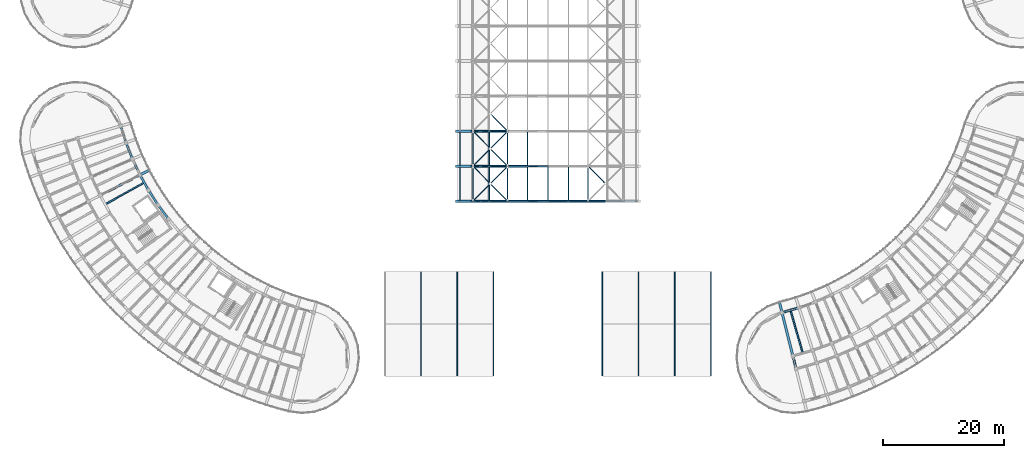
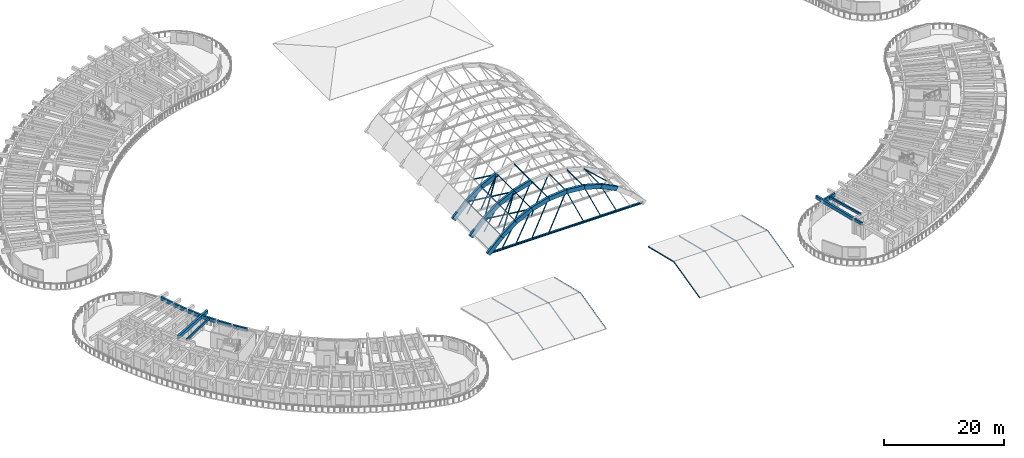
# One storey, part 7 of 81: 48 members, 28 beams.
"""IFC4 building model written with IfcOpenShell, lengths in metres."""

from ifc_helpers import new_model, si_unit, direction, frame, origin, origin_2d, place, context, subcontext, project, spatial, rectangle, hollow_rectangle, hollow_circle, i_section, extrude, material, material_profile, profile_set, type_object, element, save


model = new_model("IFC4")

# Units and contexts
model_context = context("Model", 3, precision=1e-05, world=origin(), true_north=direction((0.0, 1.0)))
body_context = subcontext(model_context, "Body", "Model", "MODEL_VIEW")
ifc_project = project(units=[si_unit("LENGTHUNIT", "METRE"), si_unit("AREAUNIT", "SQUARE_METRE"), si_unit("VOLUMEUNIT", "CUBIC_METRE"), si_unit("PLANEANGLEUNIT", "RADIAN"), si_unit("MASSUNIT", "GRAM", prefix="KILO")], contexts=[model_context])

# Site, building, storey
site_placement = place(None, origin())
site = spatial("IfcSite", under=ifc_project, at=site_placement, CompositionType="ELEMENT")
building_placement = place(site_placement, origin())
building = spatial("IfcBuilding", under=site, at=building_placement, Name="Tanwirah Colonnade Gardens", CompositionType="ELEMENT")
storey_placement = place(building_placement, frame((0.0, 0.0, 8.840087890625)))
storey = spatial("IfcBuildingStorey", under=building, at=storey_placement, Name="L02", CompositionType="ELEMENT", Elevation=8.840087890625)

# Beams
ifc_material_1 = material(Name="Precast concrete C40/50", Category="concrete")
ifc_material_profile_1 = material_profile(ifc_material_1, rectangle(XDim=0.320068359375, YDim=0.52001953125, at=origin_2d()), Name="PC-BM 320x520")
ifc_profile_set_1 = profile_set([ifc_material_profile_1], Name="Precast concrete C40/50")
beam_type_1 = type_object("IfcBeamType", Name="BM-PC320", PredefinedType="BEAM", material=ifc_profile_set_1)
beam_1_placement = place(storey_placement, frame((133.579833984375, 14.044677734375, 2.844970703125), z_axis=(0.241961122321, -0.970285945114, 0.0), x_axis=(0.970285945114, 0.241961122321, 0.0)))
element("IfcBeam", 1, at=beam_1_placement, inside=storey, type_object=beam_type_1, Name="Block D L02 Corridor Tie Beam 0", PredefinedType="BEAM", context=body_context, shape_type="SweptSolid", body=[
    extrude(rectangle(XDim=0.320068359375, YDim=0.52001953125, at=origin_2d()), origin(), (0.0, 0.0, 1.0), 1.89990234375),
])
ifc_material_2 = material(Name="Precast concrete C45/55", Category="concrete")
ifc_material_profile_2 = material_profile(ifc_material_2, rectangle(XDim=0.39990234375, YDim=0.64990234375, at=origin_2d()), Name="PC-BM 400x650")
ifc_profile_set_2 = profile_set([ifc_material_profile_2], Name="Precast concrete C45/55")
beam_type_2 = type_object("IfcBeamType", Name="BM-PC400", PredefinedType="BEAM", material=ifc_profile_set_2)
for number, where, z_axis, x_axis, name in (
    (2, (19.037841796875, 40.827880859375, 2.780029296875), (0.889022337846, 0.457863825619, 0.0), (-0.457863825619, 0.889022337846, 0.0), "Block C L02 Inner Radial Precast Girder 3"),
    (3, (133.50732421875, 14.335693359375, 2.780029296875), (-0.241932243826, 0.970293146115, 0.0), (-0.970293146115, -0.241932243826, 0.0), "Block D L02 Inner Radial Precast Girder 0"),
):
    element("IfcBeam", number, at=place(storey_placement, frame(where, z_axis=z_axis, x_axis=x_axis)), inside=storey, type_object=beam_type_2, Name=name, PredefinedType="BEAM", context=body_context, shape_type="SweptSolid", body=[
        extrude(rectangle(XDim=0.39990234375, YDim=0.64990234375, at=origin_2d()), origin(), (0.0, 0.0, 1.0), 8.949951171875),
    ])

# Members
ifc_material_3 = material(Name="Steel S355", Category="steel")
ifc_material_profile_3 = material_profile(ifc_material_3, hollow_circle(Radius=0.084228515625, WallThickness=0.010009765625, at=origin_2d()), Name="CHS 168.3x10")
ifc_profile_set_3 = profile_set([ifc_material_profile_3], Name="Steel S355")
member_type_1 = type_object("IfcMemberType", Name="BRC-CHS168", PredefinedType="BRACE", material=ifc_profile_set_3)
member_1_placement = place(storey_placement, frame((80.604736328125, 39.800048828125, 2.29345703125), z_axis=(0.642700500329, 0.650061128505, 0.405409171189), x_axis=(-0.711121325533, 0.70306931406, 0.0)))
element("IfcMember", 4, at=member_1_placement, inside=storey, type_object=member_type_1, Name="Vault Roof Continuous Diagonal Brace 1.1", PredefinedType="BRACE", context=body_context, shape_type="SweptSolid", body=[
    extrude(hollow_circle(Radius=0.084228515625, WallThickness=0.010009765625, at=origin_2d()), origin(), (0.0, 0.0, 1.0), 8.92236328125),
])
for number, where, z_axis, x_axis, name in (
    (5, (86.339111328125, 39.800048828125, 5.91064453125), (-0.642692872086, 0.650060107494, -0.405422901196), (-0.711124945561, -0.703065652554, 0.0), "Vault Roof Split Diagonal Brace 1.2A"),
    (6, (83.394775390625, 42.778076171875, 4.05322265625), (-0.642707525194, 0.650074928572, -0.405375904935), (-0.711124945561, -0.703065652554, 0.0), "Vault Roof Split Diagonal Brace 1.2B"),
):
    element("IfcMember", number, at=place(storey_placement, frame(where, z_axis=z_axis, x_axis=x_axis)), inside=storey, type_object=member_type_1, Name=name, PredefinedType="BRACE", context=body_context, shape_type="SweptSolid", body=[
        extrude(hollow_circle(Radius=0.084228515625, WallThickness=0.010009765625, at=origin_2d()), origin(), (0.0, 0.0, 1.0), 4.341064453125),
    ])
member_2_placement = place(storey_placement, frame((80.604736328125, 45.60009765625, 2.29345703125), z_axis=(0.642711932478, 0.650045328166, 0.405416382476), x_axis=(-0.711106528922, 0.703084279816, 0.0)))
element("IfcMember", 7, at=member_2_placement, inside=storey, type_object=member_type_1, Name="Vault Roof Continuous Diagonal Brace 2.1", PredefinedType="BRACE", context=body_context, shape_type="SweptSolid", body=[
    extrude(hollow_circle(Radius=0.084228515625, WallThickness=0.010009765625, at=origin_2d()), origin(), (0.0, 0.0, 1.0), 8.922119140625),
])
member_3_placement = place(storey_placement, frame((86.339111328125, 45.60009765625, 5.91064453125), z_axis=(-0.642716368159, 0.65002763241, -0.405437722966), x_axis=(-0.711094533496, -0.703096411904, 0.0)))
element("IfcMember", 8, at=member_3_placement, inside=storey, type_object=member_type_1, Name="Vault Roof Split Diagonal Brace 2.2A", PredefinedType="BRACE", context=body_context, shape_type="SweptSolid", body=[
    extrude(hollow_circle(Radius=0.084228515625, WallThickness=0.010009765625, at=origin_2d()), origin(), (0.0, 0.0, 1.0), 4.341064453125),
])
member_4_placement = place(storey_placement, frame((83.394775390625, 48.578125, 4.05322265625), z_axis=(-0.642731022874, 0.650042453831, -0.405390725663), x_axis=(-0.711094533496, -0.703096411904, 0.0)))
element("IfcMember", 9, at=member_4_placement, inside=storey, type_object=member_type_1, Name="Vault Roof Split Diagonal Brace 2.2B", PredefinedType="BRACE", context=body_context, shape_type="SweptSolid", body=[
    extrude(hollow_circle(Radius=0.084228515625, WallThickness=0.010009765625, at=origin_2d()), origin(), (0.0, 0.0, 1.0), 4.3408203125),
])
member_5_placement = place(storey_placement, frame((86.339111328125, 51.39990234375, 5.91064453125), z_axis=(-0.642692872086, 0.650060107494, -0.405422901196), x_axis=(-0.711124945561, -0.703065652554, 0.0)))
element("IfcMember", 10, at=member_5_placement, inside=storey, type_object=member_type_1, Name="Vault Roof Split Diagonal Brace 3.2A", PredefinedType="BRACE", context=body_context, shape_type="SweptSolid", body=[
    extrude(hollow_circle(Radius=0.084228515625, WallThickness=0.010009765625, at=origin_2d()), origin(), (0.0, 0.0, 1.0), 4.341064453125),
])
ifc_material_profile_4 = material_profile(ifc_material_3, hollow_circle(Radius=0.096923828125, WallThickness=0.010009765625, at=origin_2d()), Name="CHS 193.7x10")
ifc_profile_set_4 = profile_set([ifc_material_profile_4], Name="Steel S355")
member_type_2 = type_object("IfcMemberType", Name="BRC-CHS194", PredefinedType="BRACE", material=ifc_profile_set_4)
member_6_placement = place(storey_placement, frame((102.450927734375, 42.778076171875, 4.150634765625), z_axis=(-0.642692872086, 0.650060107494, 0.405422901196), x_axis=(-0.711124945561, -0.703065652554, 0.0)))
element("IfcMember", 11, at=member_6_placement, inside=storey, type_object=member_type_2, Name="Vault Roof Split Diagonal Brace 1.4B", PredefinedType="BRACE", context=body_context, shape_type="SweptSolid", body=[
    extrude(hollow_circle(Radius=0.096923828125, WallThickness=0.010009765625, at=origin_2d()), origin(), (0.0, 0.0, 1.0), 4.341064453125),
])

# Beams
ifc_material_profile_5 = material_profile(ifc_material_1, rectangle(XDim=0.2548828125, YDim=0.455078125, at=origin_2d()), Name="PC-JST 255x455")
ifc_profile_set_5 = profile_set([ifc_material_profile_5], Name="Precast concrete C40/50")
beam_type_3 = type_object("IfcBeamType", Name="JST-PC240", PredefinedType="JOIST", material=ifc_profile_set_5)
beam_2_placement = place(storey_placement, frame((133.191650390625, 21.6298828125, 2.87744140625), z_axis=(0.273532000762, -0.961862903204, 0.0), x_axis=(0.961862903204, 0.273532000762, 0.0)))
element("IfcBeam", 12, at=beam_2_placement, inside=storey, type_object=beam_type_3, Name="Block D L02 Inner Precast Floor Joist 0", PredefinedType="JOIST", context=body_context, shape_type="SweptSolid", body=[
    extrude(rectangle(XDim=0.2548828125, YDim=0.455078125, at=origin_2d()), origin(), (0.0, 0.0, 1.0), 7.159912109375),
])
ifc_material_profile_6 = material_profile(ifc_material_1, rectangle(XDim=0.25, YDim=0.449951171875, at=origin_2d()), Name="PC-JST 250x450")
ifc_profile_set_6 = profile_set([ifc_material_profile_6], Name="Precast concrete C40/50")
beam_type_4 = type_object("IfcBeamType", Name="JST-PC250", PredefinedType="JOIST", material=ifc_profile_set_6)
beam_3_placement = place(storey_placement, frame((26.0654296875, 42.80712890625, 2.8798828125), z_axis=(-0.873559899034, -0.486716655561, 0.0), x_axis=(0.486716655561, -0.873559899034, 0.0)))
element("IfcBeam", 13, at=beam_3_placement, inside=storey, type_object=beam_type_4, Name="Block C L02 Inner Precast Floor Joist 3", PredefinedType="JOIST", context=body_context, shape_type="SweptSolid", body=[
    extrude(rectangle(XDim=0.25, YDim=0.449951171875, at=origin_2d()), origin(), (0.0, 0.0, 1.0), 7.159912109375),
])

# Members
ifc_material_profile_7 = material_profile(ifc_material_3, i_section(OverallWidth=0.110107421875, OverallDepth=0.219970703125, WebThickness=0.005859375, FlangeThickness=0.00927734375, at=origin_2d()), Name="IPE 220")
ifc_profile_set_7 = profile_set([ifc_material_profile_7], Name="Steel S355")
member_type_3 = type_object("IfcMemberType", Name="PRL-IPE180", PredefinedType="PURLIN", material=ifc_profile_set_7)
for number, where, z_axis, x_axis, name in (
    (14, (83.3017578125, 39.9599609375, 4.4716796875), (0.0, 1.0, 0.0), (-1.0, 0.0, 0.0), "Vault Longitudinal Steel Purlin 1.2"),
    (15, (89.610107421875, 39.9599609375, 6.9560546875), (0.0, 1.0, 0.0), (-1.0, 0.0, 0.0), "Vault Longitudinal Steel Purlin 1.4"),
    (16, (96.389892578125, 39.9599609375, 6.9560546875), (0.0, 1.0, 0.0), (-1.0, 0.0, 0.0), "Vault Longitudinal Steel Purlin 1.6"),
    (17, (83.3017578125, 45.760009765625, 4.4716796875), (0.0, 1.0, 0.0), (-1.0, 0.0, 0.0), "Vault Longitudinal Steel Purlin 2.2"),
    (18, (89.610107421875, 45.760009765625, 6.9560546875), (0.0, 1.0, 0.0), (-1.0, 0.0, 0.0), "Vault Longitudinal Steel Purlin 2.4"),
):
    element("IfcMember", number, at=place(storey_placement, frame(where, z_axis=z_axis, x_axis=x_axis)), inside=storey, type_object=member_type_3, Name=name, PredefinedType="PURLIN", context=body_context, shape_type="SweptSolid", body=[
        extrude(i_section(OverallWidth=0.110107421875, OverallDepth=0.219970703125, WebThickness=0.005859375, FlangeThickness=0.00927734375, at=origin_2d()), origin(), (0.0, 0.0, 1.0), 5.47998046875),
    ])
ifc_material_profile_8 = material_profile(ifc_material_3, i_section(OverallWidth=0.10009765625, OverallDepth=0.199951171875, WebThickness=0.005615234375, FlangeThickness=0.008544921875, at=origin_2d()), Name="IPE 200")
ifc_profile_set_8 = profile_set([ifc_material_profile_8], Name="Steel S355")
member_type_4 = type_object("IfcMemberType", Name="PRL-IPE200", PredefinedType="PURLIN", material=ifc_profile_set_8)
for number, where, z_axis, x_axis, name in (
    (19, (78.449951171875, 39.9599609375, 0.06982421875), (0.0, 1.0, 0.0), (-1.0, 0.0, 0.0), "Vault Eave Steel Purlin 1.W"),
    (20, (80.604736328125, 39.9599609375, 2.393310546875), (0.0, 1.0, 0.0), (-1.0, 0.0, 0.0), "Vault Longitudinal Steel Purlin 1.1"),
    (21, (86.339111328125, 39.9599609375, 6.010498046875), (0.0, 1.0, 0.0), (-1.0, 0.0, 0.0), "Vault Longitudinal Steel Purlin 1.3"),
    (22, (93.0, 39.9599609375, 7.27490234375), (0.0, 1.0, 0.0), (-1.0, 0.0, 0.0), "Vault Longitudinal Steel Purlin 1.5"),
    (23, (99.660888671875, 39.9599609375, 6.010498046875), (0.0, 1.0, 0.0), (-1.0, 0.0, 0.0), "Vault Longitudinal Steel Purlin 1.7"),
    (24, (78.449951171875, 45.760009765625, 0.06982421875), (0.0, 1.0, 0.0), (-1.0, 0.0, 0.0), "Vault Eave Steel Purlin 2.W"),
    (25, (80.604736328125, 45.760009765625, 2.393310546875), (0.0, 1.0, 0.0), (-1.0, 0.0, 0.0), "Vault Longitudinal Steel Purlin 2.1"),
    (26, (86.339111328125, 45.760009765625, 6.010498046875), (0.0, 1.0, 0.0), (-1.0, 0.0, 0.0), "Vault Longitudinal Steel Purlin 2.3"),
):
    element("IfcMember", number, at=place(storey_placement, frame(where, z_axis=z_axis, x_axis=x_axis)), inside=storey, type_object=member_type_4, Name=name, PredefinedType="PURLIN", context=body_context, shape_type="SweptSolid", body=[
        extrude(i_section(OverallWidth=0.10009765625, OverallDepth=0.199951171875, WebThickness=0.005615234375, FlangeThickness=0.008544921875, at=origin_2d()), origin(), (0.0, 0.0, 1.0), 5.47998046875),
    ])
ifc_material_profile_9 = material_profile(ifc_material_3, hollow_rectangle(XDim=0.1201171875, YDim=0.219970703125, WallThickness=0.008056640625, at=origin_2d()), Name="RHS 220x120x8")
ifc_profile_set_9 = profile_set([ifc_material_profile_9], Name="Steel S355")
member_type_5 = type_object("IfcMemberType", Name="RFT-RHS220", PredefinedType="RAFTER", material=ifc_profile_set_9)
for number, where, z_axis, x_axis, name in (
    (27, (72.0, 10.89990234375, -0.150146484375), (0.0, 0.971454957519, 0.23722408291), (-1.0, 0.0, 0.0), "Shop W South Rafter 1"),
    (28, (72.0, 28.10009765625, -0.150146484375), (0.0, -0.971454957519, 0.23722408291), (1.0, 0.0, 0.0), "Shop W North Rafter 1"),
    (29, (78.0, 10.89990234375, -0.150146484375), (0.0, 0.971454957519, 0.23722408291), (-1.0, 0.0, 0.0), "Shop W South Rafter 2"),
    (30, (78.0, 28.10009765625, -0.150146484375), (0.0, -0.971454957519, 0.23722408291), (1.0, 0.0, 0.0), "Shop W North Rafter 2"),
    (31, (84.0, 10.89990234375, -0.150146484375), (0.0, 0.971454957519, 0.23722408291), (-1.0, 0.0, 0.0), "Shop W South Rafter 3"),
    (32, (84.0, 28.10009765625, -0.150146484375), (0.0, -0.971454957519, 0.23722408291), (1.0, 0.0, 0.0), "Shop W North Rafter 3"),
    (33, (102.0, 10.89990234375, -0.150146484375), (0.0, 0.971454957519, 0.23722408291), (-1.0, 0.0, 0.0), "Shop E South Rafter 0"),
    (34, (102.0, 28.10009765625, -0.150146484375), (0.0, -0.971454957519, 0.23722408291), (1.0, 0.0, 0.0), "Shop E North Rafter 0"),
    (35, (108.0, 10.89990234375, -0.150146484375), (0.0, 0.971454957519, 0.23722408291), (-1.0, 0.0, 0.0), "Shop E South Rafter 1"),
    (36, (108.0, 28.10009765625, -0.150146484375), (0.0, -0.971454957519, 0.23722408291), (1.0, 0.0, 0.0), "Shop E North Rafter 1"),
    (37, (114.0, 10.89990234375, -0.150146484375), (0.0, 0.971454957519, 0.23722408291), (-1.0, 0.0, 0.0), "Shop E South Rafter 2"),
    (38, (114.0, 28.10009765625, -0.150146484375), (0.0, -0.971454957519, 0.23722408291), (1.0, 0.0, 0.0), "Shop E North Rafter 2"),
    (39, (120.0, 10.89990234375, -0.150146484375), (0.0, 0.971454957519, 0.23722408291), (-1.0, 0.0, 0.0), "Shop E South Rafter 3"),
    (40, (120.0, 28.10009765625, -0.150146484375), (0.0, -0.971454957519, 0.23722408291), (1.0, 0.0, 0.0), "Shop E North Rafter 3"),
):
    element("IfcMember", number, at=place(storey_placement, frame(where, z_axis=z_axis, x_axis=x_axis)), inside=storey, type_object=member_type_5, Name=name, PredefinedType="RAFTER", context=body_context, shape_type="SweptSolid", body=[
        extrude(hollow_rectangle(XDim=0.1201171875, YDim=0.219970703125, WallThickness=0.008056640625, at=origin_2d()), origin(), (0.0, 0.0, 1.0), 8.852783203125),
    ])

# Beams
ifc_material_profile_10 = material_profile(ifc_material_2, rectangle(XDim=0.449951171875, YDim=0.85009765625, at=origin_2d()), Name="PC-RIB 450x850")
ifc_profile_set_10 = profile_set([ifc_material_profile_10], Name="Precast concrete C45/55")
beam_type_5 = type_object("IfcBeamType", Name="RIB-V450", PredefinedType="BEAM", material=ifc_profile_set_10)
beam_4_placement = place(storey_placement, frame((78.0, 39.800048828125, -0.35009765625), z_axis=(0.701857552298, 0.0, 0.712317328361), x_axis=(0.0, 1.0, 0.0)))
element("IfcBeam", 41, at=beam_4_placement, inside=storey, type_object=beam_type_5, Name="Vault Precast Arch Rib 1 Segment 1", PredefinedType="BEAM", context=body_context, shape_type="SweptSolid", body=[
    extrude(rectangle(XDim=0.449951171875, YDim=0.85009765625, at=origin_2d()), origin(), (0.0, 0.0, 1.0), 3.711181640625),
])
beam_5_placement = place(storey_placement, frame((80.604736328125, 39.800048828125, 2.29345703125), z_axis=(0.792127921204, 0.0, 0.610355106843), x_axis=(0.0, 1.0, 0.0)))
element("IfcBeam", 42, at=beam_5_placement, inside=storey, type_object=beam_type_5, Name="Vault Precast Arch Rib 1 Segment 2", PredefinedType="BEAM", context=body_context, shape_type="SweptSolid", body=[
    extrude(rectangle(XDim=0.449951171875, YDim=0.85009765625, at=origin_2d()), origin(), (0.0, 0.0, 1.0), 3.40478515625),
])
beam_6_placement = place(storey_placement, frame((83.3017578125, 39.800048828125, 4.37158203125), z_axis=(0.892019587428, 0.0, 0.451996742958), x_axis=(0.0, 1.0, 0.0)))
element("IfcBeam", 43, at=beam_6_placement, inside=storey, type_object=beam_type_5, Name="Vault Precast Arch Rib 1 Segment 3", PredefinedType="BEAM", context=body_context, shape_type="SweptSolid", body=[
    extrude(rectangle(XDim=0.449951171875, YDim=0.85009765625, at=origin_2d()), origin(), (0.0, 0.0, 1.0), 3.405029296875),
])
for number, where, z_axis, x_axis, name in (
    (44, (86.339111328125, 39.800048828125, 5.91064453125), (0.960686137021, 0.0, 0.277636716118), (0.0, 1.0, 0.0), "Vault Precast Arch Rib 1 Segment 4"),
    (45, (89.610107421875, 39.800048828125, 6.85595703125), (0.99560565079, 0.0, 0.093645011158), (0.0, 1.0, 0.0), "Vault Precast Arch Rib 1 Segment 5"),
    (46, (93.0, 39.800048828125, 7.1748046875), (0.99560565079, 0.0, -0.093645011158), (0.0, 1.0, 0.0), "Vault Precast Arch Rib 1 Segment 6"),
    (47, (96.389892578125, 39.800048828125, 6.85595703125), (0.960686137021, 0.0, -0.277636716118), (0.0, 1.0, 0.0), "Vault Precast Arch Rib 1 Segment 7"),
):
    element("IfcBeam", number, at=place(storey_placement, frame(where, z_axis=z_axis, x_axis=x_axis)), inside=storey, type_object=beam_type_5, Name=name, PredefinedType="BEAM", context=body_context, shape_type="SweptSolid", body=[
        extrude(rectangle(XDim=0.449951171875, YDim=0.85009765625, at=origin_2d()), origin(), (0.0, 0.0, 1.0), 3.40478515625),
    ])
beam_7_placement = place(storey_placement, frame((99.660888671875, 39.800048828125, 5.91064453125), z_axis=(0.892019587428, 0.0, -0.451996742958), x_axis=(0.0, 1.0, 0.0)))
element("IfcBeam", 48, at=beam_7_placement, inside=storey, type_object=beam_type_5, Name="Vault Precast Arch Rib 1 Segment 8", PredefinedType="BEAM", context=body_context, shape_type="SweptSolid", body=[
    extrude(rectangle(XDim=0.449951171875, YDim=0.85009765625, at=origin_2d()), origin(), (0.0, 0.0, 1.0), 3.405029296875),
])
beam_8_placement = place(storey_placement, frame((78.0, 45.60009765625, -0.35009765625), z_axis=(0.701857552298, 0.0, 0.712317328361), x_axis=(0.0, 1.0, 0.0)))
element("IfcBeam", 49, at=beam_8_placement, inside=storey, type_object=beam_type_5, Name="Vault Precast Arch Rib 2 Segment 1", PredefinedType="BEAM", context=body_context, shape_type="SweptSolid", body=[
    extrude(rectangle(XDim=0.449951171875, YDim=0.85009765625, at=origin_2d()), origin(), (0.0, 0.0, 1.0), 3.711181640625),
])
beam_9_placement = place(storey_placement, frame((80.604736328125, 45.60009765625, 2.29345703125), z_axis=(0.792127921204, 0.0, 0.610355106843), x_axis=(0.0, 1.0, 0.0)))
element("IfcBeam", 50, at=beam_9_placement, inside=storey, type_object=beam_type_5, Name="Vault Precast Arch Rib 2 Segment 2", PredefinedType="BEAM", context=body_context, shape_type="SweptSolid", body=[
    extrude(rectangle(XDim=0.449951171875, YDim=0.85009765625, at=origin_2d()), origin(), (0.0, 0.0, 1.0), 3.40478515625),
])
beam_10_placement = place(storey_placement, frame((83.3017578125, 45.60009765625, 4.37158203125), z_axis=(0.892019587428, 0.0, 0.451996742958), x_axis=(0.0, 1.0, 0.0)))
element("IfcBeam", 51, at=beam_10_placement, inside=storey, type_object=beam_type_5, Name="Vault Precast Arch Rib 2 Segment 3", PredefinedType="BEAM", context=body_context, shape_type="SweptSolid", body=[
    extrude(rectangle(XDim=0.449951171875, YDim=0.85009765625, at=origin_2d()), origin(), (0.0, 0.0, 1.0), 3.405029296875),
])
beam_11_placement = place(storey_placement, frame((86.339111328125, 45.60009765625, 5.91064453125), z_axis=(0.960686137021, 0.0, 0.277636716118), x_axis=(0.0, 1.0, 0.0)))
element("IfcBeam", 52, at=beam_11_placement, inside=storey, type_object=beam_type_5, Name="Vault Precast Arch Rib 2 Segment 4", PredefinedType="BEAM", context=body_context, shape_type="SweptSolid", body=[
    extrude(rectangle(XDim=0.449951171875, YDim=0.85009765625, at=origin_2d()), origin(), (0.0, 0.0, 1.0), 3.40478515625),
])
beam_12_placement = place(storey_placement, frame((78.0, 51.39990234375, -0.35009765625), z_axis=(0.701857552298, 0.0, 0.712317328361), x_axis=(0.0, 1.0, 0.0)))
element("IfcBeam", 53, at=beam_12_placement, inside=storey, type_object=beam_type_5, Name="Vault Precast Arch Rib 3 Segment 1", PredefinedType="BEAM", context=body_context, shape_type="SweptSolid", body=[
    extrude(rectangle(XDim=0.449951171875, YDim=0.85009765625, at=origin_2d()), origin(), (0.0, 0.0, 1.0), 3.711181640625),
])
beam_13_placement = place(storey_placement, frame((80.604736328125, 51.39990234375, 2.29345703125), z_axis=(0.792127921204, 0.0, 0.610355106843), x_axis=(0.0, 1.0, 0.0)))
element("IfcBeam", 54, at=beam_13_placement, inside=storey, type_object=beam_type_5, Name="Vault Precast Arch Rib 3 Segment 2", PredefinedType="BEAM", context=body_context, shape_type="SweptSolid", body=[
    extrude(rectangle(XDim=0.449951171875, YDim=0.85009765625, at=origin_2d()), origin(), (0.0, 0.0, 1.0), 3.40478515625),
])
beam_14_placement = place(storey_placement, frame((83.3017578125, 51.39990234375, 4.37158203125), z_axis=(0.892019587428, 0.0, 0.451996742958), x_axis=(0.0, 1.0, 0.0)))
element("IfcBeam", 55, at=beam_14_placement, inside=storey, type_object=beam_type_5, Name="Vault Precast Arch Rib 3 Segment 3", PredefinedType="BEAM", context=body_context, shape_type="SweptSolid", body=[
    extrude(rectangle(XDim=0.449951171875, YDim=0.85009765625, at=origin_2d()), origin(), (0.0, 0.0, 1.0), 3.405029296875),
])
ifc_material_profile_11 = material_profile(ifc_material_1, rectangle(XDim=0.324951171875, YDim=0.68505859375, at=origin_2d()), Name="PC-SP 325x685")
ifc_profile_set_11 = profile_set([ifc_material_profile_11], Name="Precast concrete C40/50")
beam_type_6 = type_object("IfcBeamType", Name="SP-PC260", PredefinedType="SPANDREL", material=ifc_profile_set_11)
beam_15_placement = place(storey_placement, frame((131.897705078125, 21.411376953125, 2.762451171875), z_axis=(0.961858721299, 0.273546705814, 0.0), x_axis=(-0.273546705814, 0.961858721299, 0.0)))
element("IfcBeam", 56, at=beam_15_placement, inside=storey, type_object=beam_type_6, Name="Block D L02 Circumferential Beam 0-R0", PredefinedType="SPANDREL", context=body_context, shape_type="SweptSolid", body=[
    extrude(rectangle(XDim=0.324951171875, YDim=0.68505859375, at=origin_2d()), origin(), (0.0, 0.0, 1.0), 2.60888671875),
])
ifc_material_profile_12 = material_profile(ifc_material_1, rectangle(XDim=0.330078125, YDim=0.68994140625, at=origin_2d()), Name="PC-SP 330x690")
ifc_profile_set_12 = profile_set([ifc_material_profile_12], Name="Precast concrete C40/50")
beam_type_7 = type_object("IfcBeamType", Name="SP-PC280", PredefinedType="SPANDREL", material=ifc_profile_set_12)
beam_16_placement = place(storey_placement, frame((22.31787109375, 52.105224609375, 2.760009765625), z_axis=(0.306948094518, -0.951726256479, 0.0), x_axis=(0.951726256479, 0.306948094518, 0.0)))
element("IfcBeam", 57, at=beam_16_placement, inside=storey, type_object=beam_type_7, Name="Block C L02 Circumferential Beam 0-R0", PredefinedType="SPANDREL", context=body_context, shape_type="SweptSolid", body=[
    extrude(rectangle(XDim=0.330078125, YDim=0.68994140625, at=origin_2d()), origin(), (0.0, 0.0, 1.0), 2.60888671875),
])
beam_17_placement = place(storey_placement, frame((23.219970703125, 49.340087890625, 2.760009765625), z_axis=(0.368549031306, -0.929608310808, 0.0), x_axis=(0.929608310808, 0.368549031306, 0.0)))
element("IfcBeam", 58, at=beam_17_placement, inside=storey, type_object=beam_type_7, Name="Block C L02 Circumferential Beam 1-R0", PredefinedType="SPANDREL", context=body_context, shape_type="SweptSolid", body=[
    extrude(rectangle(XDim=0.330078125, YDim=0.68994140625, at=origin_2d()), origin(), (0.0, 0.0, 1.0), 2.608642578125),
])
beam_18_placement = place(storey_placement, frame((24.301025390625, 46.64013671875, 2.760009765625), z_axis=(0.428512709915, -0.903535753272, 0.0), x_axis=(0.903535753272, 0.428512709915, 0.0)))
element("IfcBeam", 59, at=beam_18_placement, inside=storey, type_object=beam_type_7, Name="Block C L02 Circumferential Beam 2-R0", PredefinedType="SPANDREL", context=body_context, shape_type="SweptSolid", body=[
    extrude(rectangle(XDim=0.330078125, YDim=0.68994140625, at=origin_2d()), origin(), (0.0, 0.0, 1.0), 2.60888671875),
])
beam_19_placement = place(storey_placement, frame((25.55615234375, 44.016357421875, 2.760009765625), z_axis=(0.486747049114, -0.873542964129, 0.0), x_axis=(0.873542964129, 0.486747049114, 0.0)))
element("IfcBeam", 60, at=beam_19_placement, inside=storey, type_object=beam_type_7, Name="Block C L02 Circumferential Beam 3-R0", PredefinedType="SPANDREL", context=body_context, shape_type="SweptSolid", body=[
    extrude(rectangle(XDim=0.330078125, YDim=0.68994140625, at=origin_2d()), origin(), (0.0, 0.0, 1.0), 2.608642578125),
])
beam_20_placement = place(storey_placement, frame((26.980224609375, 41.48046875, 2.760009765625), z_axis=(0.542874837406, -0.83981361677, 0.0), x_axis=(0.83981361677, 0.542874837406, 0.0)))
element("IfcBeam", 61, at=beam_20_placement, inside=storey, type_object=beam_type_7, Name="Block C L02 Circumferential Beam 4-R0", PredefinedType="SPANDREL", context=body_context, shape_type="SweptSolid", body=[
    extrude(rectangle(XDim=0.330078125, YDim=0.68994140625, at=origin_2d()), origin(), (0.0, 0.0, 1.0), 2.60888671875),
])
beam_21_placement = place(storey_placement, frame((28.5673828125, 39.043212890625, 2.760009765625), z_axis=(0.596565220249, -0.802564600508, 0.0), x_axis=(0.802564600508, 0.596565220249, 0.0)))
element("IfcBeam", 62, at=beam_21_placement, inside=storey, type_object=beam_type_7, Name="Block C L02 Circumferential Beam 5-R0", PredefinedType="SPANDREL", context=body_context, shape_type="SweptSolid", body=[
    extrude(rectangle(XDim=0.330078125, YDim=0.68994140625, at=origin_2d()), origin(), (0.0, 0.0, 1.0), 2.6083984375),
])
ifc_material_profile_13 = material_profile(ifc_material_3, i_section(OverallWidth=0.300048828125, OverallDepth=0.360107421875, WebThickness=0.012451171875, FlangeThickness=0.0224609375, at=origin_2d()), Name="HEB 360")
ifc_profile_set_13 = profile_set([ifc_material_profile_13], Name="Steel S355")
beam_type_8 = type_object("IfcBeamType", Name="STIE-HEB360", PredefinedType="BEAM", material=ifc_profile_set_13)
beam_22_placement = place(storey_placement, frame((78.14990234375, 39.800048828125, -0.239990234375), z_axis=(1.0, 0.0, 0.0), x_axis=(0.0, 1.0, 0.0)))
element("IfcBeam", 63, at=beam_22_placement, inside=storey, type_object=beam_type_8, Name="Vault Springing Steel Tension Tie 1", PredefinedType="BEAM", context=body_context, shape_type="SweptSolid", body=[
    extrude(i_section(OverallWidth=0.300048828125, OverallDepth=0.360107421875, WebThickness=0.012451171875, FlangeThickness=0.0224609375, at=origin_2d()), origin(), (0.0, 0.0, 1.0), 29.7001953125),
])

# Members
ifc_material_profile_14 = material_profile(ifc_material_3, hollow_rectangle(XDim=0.14990234375, YDim=0.14990234375, WallThickness=0.010009765625, at=origin_2d()), Name="SHS 150x150x10")
ifc_profile_set_14 = profile_set([ifc_material_profile_14], Name="Steel S355")
member_type_6 = type_object("IfcMemberType", Name="STR-SHS150", PredefinedType="STRUT", material=ifc_profile_set_14)
member_7_placement = place(storey_placement, frame((80.604736328125, 39.800048828125, -0.239990234375), z_axis=(0.504839627362, 0.0, 0.863213154815), x_axis=(0.0, 1.0, 0.0)))
element("IfcMember", 64, at=member_7_placement, inside=storey, type_object=member_type_6, Name="Vault Tied-Arch Diagonal Web 1.2", PredefinedType="STRUT", context=body_context, shape_type="SweptSolid", body=[
    extrude(hollow_rectangle(XDim=0.14990234375, YDim=0.14990234375, WallThickness=0.010009765625, at=origin_2d()), origin(), (0.0, 0.0, 1.0), 5.34228515625),
])
member_8_placement = place(storey_placement, frame((83.3017578125, 39.800048828125, -0.239990234375), z_axis=(0.442780665699, 0.0, 0.896629958279), x_axis=(0.0, 1.0, 0.0)))
element("IfcMember", 65, at=member_8_placement, inside=storey, type_object=member_type_6, Name="Vault Tied-Arch Diagonal Web 1.3", PredefinedType="STRUT", context=body_context, shape_type="SweptSolid", body=[
    extrude(hollow_rectangle(XDim=0.14990234375, YDim=0.14990234375, WallThickness=0.010009765625, at=origin_2d()), origin(), (0.0, 0.0, 1.0), 6.859619140625),
])
member_9_placement = place(storey_placement, frame((86.339111328125, 39.800048828125, -0.239990234375), z_axis=(0.418630140767, 0.0, 0.908156817539), x_axis=(0.0, 1.0, 0.0)))
element("IfcMember", 66, at=member_9_placement, inside=storey, type_object=member_type_6, Name="Vault Tied-Arch Diagonal Web 1.4", PredefinedType="STRUT", context=body_context, shape_type="SweptSolid", body=[
    extrude(hollow_rectangle(XDim=0.14990234375, YDim=0.14990234375, WallThickness=0.010009765625, at=origin_2d()), origin(), (0.0, 0.0, 1.0), 7.8134765625),
])
for number, where, z_axis, x_axis, name in (
    (67, (89.610107421875, 39.800048828125, -0.239990234375), (0.415787359689, 0.0, 0.909461858201), (0.0, 1.0, 0.0), "Vault Tied-Arch Diagonal Web 1.5"),
    (68, (96.389892578125, 39.800048828125, -0.239990234375), (-0.415787359689, 0.0, 0.909461858201), (0.0, -1.0, 0.0), "Vault Tied-Arch Diagonal Web 1.6"),
):
    element("IfcMember", number, at=place(storey_placement, frame(where, z_axis=z_axis, x_axis=x_axis)), inside=storey, type_object=member_type_6, Name=name, PredefinedType="STRUT", context=body_context, shape_type="SweptSolid", body=[
        extrude(hollow_rectangle(XDim=0.14990234375, YDim=0.14990234375, WallThickness=0.010009765625, at=origin_2d()), origin(), (0.0, 0.0, 1.0), 8.15283203125),
    ])
member_10_placement = place(storey_placement, frame((99.660888671875, 39.800048828125, -0.239990234375), z_axis=(-0.418630140767, 0.0, 0.908156817539), x_axis=(0.0, -1.0, 0.0)))
element("IfcMember", 69, at=member_10_placement, inside=storey, type_object=member_type_6, Name="Vault Tied-Arch Diagonal Web 1.7", PredefinedType="STRUT", context=body_context, shape_type="SweptSolid", body=[
    extrude(hollow_rectangle(XDim=0.14990234375, YDim=0.14990234375, WallThickness=0.010009765625, at=origin_2d()), origin(), (0.0, 0.0, 1.0), 7.8134765625),
])
member_11_placement = place(storey_placement, frame((102.6982421875, 39.800048828125, -0.239990234375), z_axis=(-0.442780665699, 0.0, 0.896629958279), x_axis=(0.0, -1.0, 0.0)))
element("IfcMember", 70, at=member_11_placement, inside=storey, type_object=member_type_6, Name="Vault Tied-Arch Diagonal Web 1.8", PredefinedType="STRUT", context=body_context, shape_type="SweptSolid", body=[
    extrude(hollow_rectangle(XDim=0.14990234375, YDim=0.14990234375, WallThickness=0.010009765625, at=origin_2d()), origin(), (0.0, 0.0, 1.0), 6.859619140625),
])
member_12_placement = place(storey_placement, frame((80.604736328125, 45.60009765625, -0.239990234375), z_axis=(0.504839627362, 0.0, 0.863213154815), x_axis=(0.0, 1.0, 0.0)))
element("IfcMember", 71, at=member_12_placement, inside=storey, type_object=member_type_6, Name="Vault Tied-Arch Diagonal Web 2.2", PredefinedType="STRUT", context=body_context, shape_type="SweptSolid", body=[
    extrude(hollow_rectangle(XDim=0.14990234375, YDim=0.14990234375, WallThickness=0.010009765625, at=origin_2d()), origin(), (0.0, 0.0, 1.0), 5.34228515625),
])
member_13_placement = place(storey_placement, frame((83.3017578125, 45.60009765625, -0.239990234375), z_axis=(0.442780665699, 0.0, 0.896629958279), x_axis=(0.0, 1.0, 0.0)))
element("IfcMember", 72, at=member_13_placement, inside=storey, type_object=member_type_6, Name="Vault Tied-Arch Diagonal Web 2.3", PredefinedType="STRUT", context=body_context, shape_type="SweptSolid", body=[
    extrude(hollow_rectangle(XDim=0.14990234375, YDim=0.14990234375, WallThickness=0.010009765625, at=origin_2d()), origin(), (0.0, 0.0, 1.0), 6.859619140625),
])
member_14_placement = place(storey_placement, frame((86.339111328125, 45.60009765625, -0.239990234375), z_axis=(0.418630140767, 0.0, 0.908156817539), x_axis=(0.0, 1.0, 0.0)))
element("IfcMember", 73, at=member_14_placement, inside=storey, type_object=member_type_6, Name="Vault Tied-Arch Diagonal Web 2.4", PredefinedType="STRUT", context=body_context, shape_type="SweptSolid", body=[
    extrude(hollow_rectangle(XDim=0.14990234375, YDim=0.14990234375, WallThickness=0.010009765625, at=origin_2d()), origin(), (0.0, 0.0, 1.0), 7.8134765625),
])
member_15_placement = place(storey_placement, frame((89.610107421875, 45.60009765625, -0.239990234375), z_axis=(0.415787359689, 0.0, 0.909461858201), x_axis=(0.0, 1.0, 0.0)))
element("IfcMember", 74, at=member_15_placement, inside=storey, type_object=member_type_6, Name="Vault Tied-Arch Diagonal Web 2.5", PredefinedType="STRUT", context=body_context, shape_type="SweptSolid", body=[
    extrude(hollow_rectangle(XDim=0.14990234375, YDim=0.14990234375, WallThickness=0.010009765625, at=origin_2d()), origin(), (0.0, 0.0, 1.0), 8.15283203125),
])
member_16_placement = place(storey_placement, frame((80.604736328125, 51.39990234375, -0.239990234375), z_axis=(0.504839627362, 0.0, 0.863213154815), x_axis=(0.0, 1.0, 0.0)))
element("IfcMember", 75, at=member_16_placement, inside=storey, type_object=member_type_6, Name="Vault Tied-Arch Diagonal Web 3.2", PredefinedType="STRUT", context=body_context, shape_type="SweptSolid", body=[
    extrude(hollow_rectangle(XDim=0.14990234375, YDim=0.14990234375, WallThickness=0.010009765625, at=origin_2d()), origin(), (0.0, 0.0, 1.0), 5.34228515625),
])
member_17_placement = place(storey_placement, frame((83.3017578125, 51.39990234375, -0.239990234375), z_axis=(0.442780665699, 0.0, 0.896629958279), x_axis=(0.0, 1.0, 0.0)))
element("IfcMember", 76, at=member_17_placement, inside=storey, type_object=member_type_6, Name="Vault Tied-Arch Diagonal Web 3.3", PredefinedType="STRUT", context=body_context, shape_type="SweptSolid", body=[
    extrude(hollow_rectangle(XDim=0.14990234375, YDim=0.14990234375, WallThickness=0.010009765625, at=origin_2d()), origin(), (0.0, 0.0, 1.0), 6.859619140625),
])

save(model, "model.ifc")
